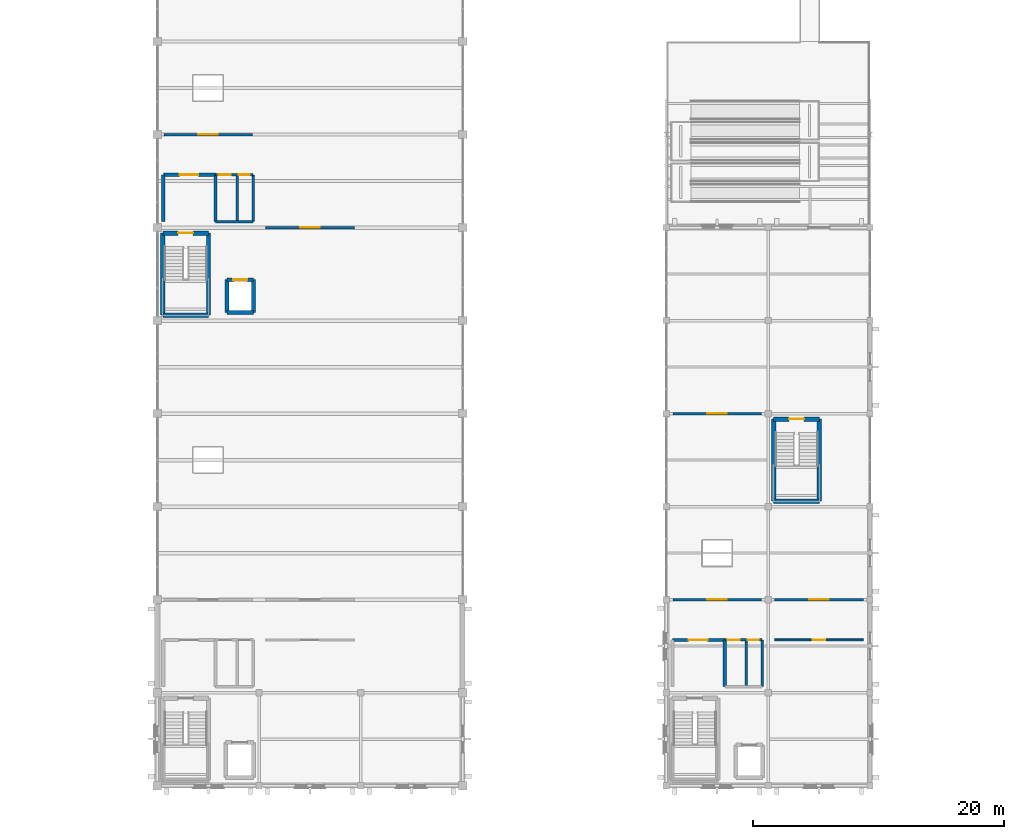
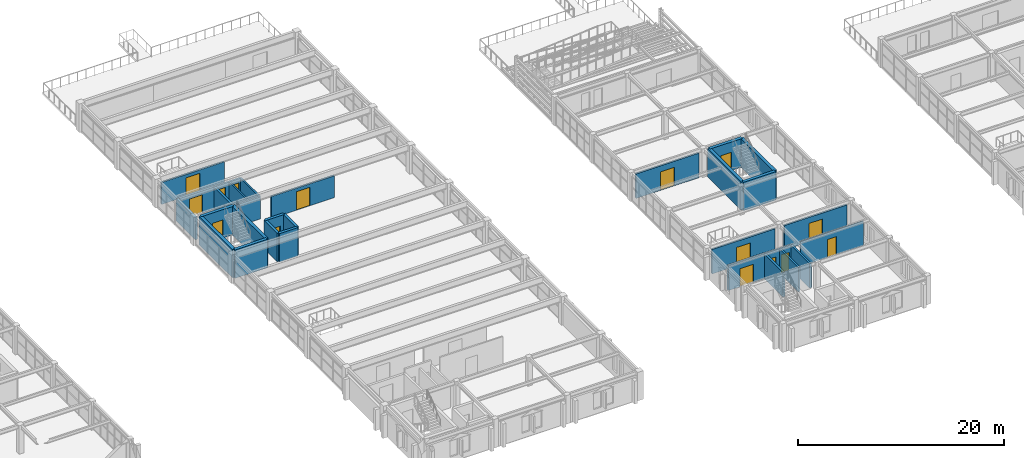
# One storey, part 82 of 93: 30 walls, 15 doors, 15 openings.
"""IFC4 building model written with IfcOpenShell, lengths in metres."""

from ifc_helpers import new_model, si_unit, direction, frame, frame_2d, origin, place, context, subcontext, project, spatial, rectangle, extrude, material, layer, layer_set, type_object, element, fill, save


model = new_model("IFC4")

# Units and contexts
model_context = context("Model", 3, precision=1e-05, world=origin(), true_north=direction((0.0, 1.0)))
body_context = subcontext(model_context, "Body", "Model", "MODEL_VIEW")
ifc_project = project(units=[si_unit("LENGTHUNIT", "METRE"), si_unit("AREAUNIT", "SQUARE_METRE"), si_unit("VOLUMEUNIT", "CUBIC_METRE"), si_unit("PLANEANGLEUNIT", "RADIAN"), si_unit("MASSUNIT", "GRAM", prefix="KILO")], contexts=[model_context])

# Site, building, storey
site_placement = place(None, origin())
site = spatial("IfcSite", under=ifc_project, at=site_placement, CompositionType="ELEMENT")
building_placement = place(site_placement, origin())
building = spatial("IfcBuilding", under=site, at=building_placement, Name="Cimatlan Art Gallery", CompositionType="ELEMENT")
storey_placement = place(building_placement, frame((0.0, 0.0, 13.800048828125)))
storey = spatial("IfcBuildingStorey", under=building, at=storey_placement, Name="L03", CompositionType="ELEMENT", Elevation=13.800048828125)

# Walls
ifc_material_1 = material(Name="Concrete C40/50", Category="concrete")
ifc_layer_1 = layer(ifc_material_1, 0.31005859375)
ifc_layer_set_1 = layer_set([ifc_layer_1], Name="Concrete C40/50")
wall_type_1 = type_object("IfcWallType", Name="W-CORE-310", PredefinedType="SHEAR", material=ifc_layer_set_1)
wall_1_placement = place(storey_placement, frame((80.449951171875, 61.550048828125, 0.0), z_axis=(0.0, 0.0, 1.0), x_axis=(0.0, 1.0, 0.0)))
element("IfcWall", 1, at=wall_1_placement, inside=storey, type_object=wall_type_1, Name="WL-SHFT-C6-L03-LW", PredefinedType="SHEAR", context=body_context, shape_type="SweptSolid", body=[
    extrude(rectangle(XDim=2.599853515625, YDim=0.31005859375, at=frame_2d((1.2998046875, 0.0))), origin(), (0.0, 0.0, 1.0), 3.375),
])
wall_2_placement = place(storey_placement, frame((80.449951171875, 61.550048828125, 0.0), z_axis=(0.0, 0.0, 1.0), x_axis=(1.0, 0.0, 0.0)))
element("IfcWall", 2, at=wall_2_placement, inside=storey, type_object=wall_type_1, Name="WL-SHFT-C6-L03-LS", PredefinedType="SHEAR", context=body_context, shape_type="SweptSolid", body=[
    extrude(rectangle(XDim=2.10009765625, YDim=0.31005859375, at=frame_2d((1.050048828125, 0.0))), origin(), (0.0, 0.0, 1.0), 3.375),
])
wall_3_placement = place(storey_placement, frame((82.550048828125, 61.550048828125, 0.0), z_axis=(0.0, 0.0, 1.0), x_axis=(0.0, 1.0, 0.0)))
element("IfcWall", 3, at=wall_3_placement, inside=storey, type_object=wall_type_1, Name="WL-SHFT-C6-L03-LE", PredefinedType="SHEAR", context=body_context, shape_type="SweptSolid", body=[
    extrude(rectangle(XDim=2.599853515625, YDim=0.31005859375, at=frame_2d((1.2998046875, 0.0))), origin(), (0.0, 0.0, 1.0), 3.375),
])

# Wall, opening, door
wall_4_placement = place(storey_placement, frame((80.449951171875, 64.14990234375, 0.0), z_axis=(0.0, 0.0, 1.0), x_axis=(1.0, 0.0, 0.0)))
wall_4 = element("IfcWall", 4, at=wall_4_placement, inside=storey, type_object=wall_type_1, Name="WL-SHFT-C6-L03-LN", PredefinedType="SHEAR", context=body_context, shape_type="SweptSolid", body=[
    extrude(rectangle(XDim=2.10009765625, YDim=0.31005859375, at=frame_2d((1.050048828125, 0.0))), origin(), (0.0, 0.0, 1.0), 3.375),
])
opening_1_placement = place(wall_4_placement, frame((0.5, 0.0, 0.0)))
opening_1 = element("IfcOpeningElement", 5, at=opening_1_placement, cuts=wall_4, Name="Opening LD-C6-L03", PredefinedType="OPENING", context=body_context, shape_type="SweptSolid", body=[
    extrude(rectangle(XDim=1.10009765625, YDim=2.14990234375, at=frame_2d((0.550048828125, 1.074951171875))), frame((0.0, 0.1650390625, 0.0), z_axis=(0.0, -1.0, 0.0), x_axis=(1.0, 0.0, 0.0)), (0.0, 0.0, 1.0), 0.330078125),
])
ifc_material_2 = material(Name="Brushed bronze sliding lift landing door")
door_type_1 = type_object("IfcDoorType", Name="LD-PS-1100", OperationType="NOTDEFINED", PredefinedType="DOOR", material=ifc_material_2)
door_1_placement = place(opening_1_placement, origin())
door_1 = element("IfcDoor", 6, at=door_1_placement, inside=storey, type_object=door_type_1, Name="LD-PL-03-L03", OperationType="SLIDING_TO_LEFT", OverallHeight=2.14990234375, OverallWidth=1.10009765625, PredefinedType="DOOR", context=body_context, shape_type="SweptSolid", body=[
    extrude(rectangle(XDim=1.10009765625, YDim=2.14990234375, at=frame_2d((0.550048828125, 1.074951171875))), frame((0.0, 0.02490234375, 0.0), z_axis=(0.0, -1.0, 0.0), x_axis=(1.0, 0.0, 0.0)), (0.0, 0.0, 1.0), 0.050048828125),
])
fill(opening_1, door_1)

# Walls
ifc_layer_2 = layer(ifc_material_1, 0.35009765625)
ifc_layer_set_2 = layer_set([ifc_layer_2], Name="Concrete C40/50")
wall_type_2 = type_object("IfcWallType", Name="W-CORE-350", PredefinedType="SHEAR", material=ifc_layer_set_2)
wall_5_placement = place(storey_placement, frame((75.340087890625, 61.340087890625, 0.0), z_axis=(0.0, 0.0, 1.0), x_axis=(0.0, 1.0, 0.0)))
element("IfcWall", 7, at=wall_5_placement, inside=storey, type_object=wall_type_2, Name="WL-CORE-C6-L03-SW", PredefinedType="SHEAR", context=body_context, shape_type="SweptSolid", body=[
    extrude(rectangle(XDim=6.52001953125, YDim=0.35009765625, at=frame_2d((3.260009765625, 0.0))), origin(), (0.0, 0.0, 1.0), 3.375),
])
wall_6_placement = place(storey_placement, frame((75.340087890625, 61.340087890625, 0.0), z_axis=(0.0, 0.0, 1.0), x_axis=(1.0, 0.0, 0.0)))
element("IfcWall", 8, at=wall_6_placement, inside=storey, type_object=wall_type_2, Name="WL-CORE-C6-L03-SS", PredefinedType="SHEAR", context=body_context, shape_type="SweptSolid", body=[
    extrude(rectangle(XDim=3.639892578125, YDim=0.35009765625, at=frame_2d((1.81982421875, 0.0))), origin(), (0.0, 0.0, 1.0), 3.375),
])
wall_7_placement = place(storey_placement, frame((78.97998046875, 61.340087890625, 0.0), z_axis=(0.0, 0.0, 1.0), x_axis=(0.0, 1.0, 0.0)))
element("IfcWall", 9, at=wall_7_placement, inside=storey, type_object=wall_type_2, Name="WL-CORE-C6-L03-SE", PredefinedType="SHEAR", context=body_context, shape_type="SweptSolid", body=[
    extrude(rectangle(XDim=6.52001953125, YDim=0.35009765625, at=frame_2d((3.260009765625, 0.0))), origin(), (0.0, 0.0, 1.0), 3.375),
])

# Wall, opening, door
wall_8_placement = place(storey_placement, frame((75.340087890625, 67.860107421875, 0.0), z_axis=(0.0, 0.0, 1.0), x_axis=(1.0, 0.0, 0.0)))
wall_8 = element("IfcWall", 10, at=wall_8_placement, inside=storey, type_object=wall_type_2, Name="WL-CORE-C6-L03-SN", PredefinedType="SHEAR", context=body_context, shape_type="SweptSolid", body=[
    extrude(rectangle(XDim=3.639892578125, YDim=0.35009765625, at=frame_2d((1.81982421875, 0.0))), origin(), (0.0, 0.0, 1.0), 3.375),
])
opening_2_placement = place(wall_8_placement, frame((1.219970703125, 0.0, 0.0)))
opening_2 = element("IfcOpeningElement", 11, at=opening_2_placement, cuts=wall_8, Name="Opening FD-C6-L03", PredefinedType="OPENING", context=body_context, shape_type="SweptSolid", body=[
    extrude(rectangle(XDim=1.199951171875, YDim=2.14990234375, at=frame_2d((0.60009765625, 1.074951171875))), frame((0.0, 0.18505859375, 0.0), z_axis=(0.0, -1.0, 0.0), x_axis=(1.0, 0.0, 0.0)), (0.0, 0.0, 1.0), 0.3701171875),
])
ifc_material_3 = material(Name="Fire-resisting steel acoustic stair door", Category="steel")
door_type_2 = type_object("IfcDoorType", Name="FD-ST-1200", OperationType="NOTDEFINED", PredefinedType="DOOR", material=ifc_material_3)
door_2_placement = place(opening_2_placement, origin())
door_2 = element("IfcDoor", 12, at=door_2_placement, inside=storey, type_object=door_type_2, Name="DR-C6-L03-ST", OperationType="SINGLE_SWING_LEFT", OverallHeight=2.14990234375, OverallWidth=1.199951171875, PredefinedType="DOOR", context=body_context, shape_type="SweptSolid", body=[
    extrude(rectangle(XDim=1.199951171875, YDim=2.14990234375, at=frame_2d((0.60009765625, 1.074951171875))), frame((0.0, 0.02490234375, 0.0), z_axis=(0.0, -1.0, 0.0), x_axis=(1.0, 0.0, 0.0)), (0.0, 0.0, 1.0), 0.050048828125),
])
fill(opening_2, door_2)

# Walls
wall_9_placement = place(storey_placement, frame((123.93994140625, 46.5400390625, 0.0), z_axis=(0.0, 0.0, 1.0), x_axis=(0.0, 1.0, 0.0)))
element("IfcWall", 13, at=wall_9_placement, inside=storey, type_object=wall_type_2, Name="WL-CORE-C9-L03-SW", PredefinedType="SHEAR", context=body_context, shape_type="SweptSolid", body=[
    extrude(rectangle(XDim=6.52001953125, YDim=0.35009765625, at=frame_2d((3.260009765625, 0.0))), origin(), (0.0, 0.0, 1.0), 3.375),
])
wall_10_placement = place(storey_placement, frame((123.93994140625, 46.5400390625, 0.0), z_axis=(0.0, 0.0, 1.0), x_axis=(1.0, 0.0, 0.0)))
element("IfcWall", 14, at=wall_10_placement, inside=storey, type_object=wall_type_2, Name="WL-CORE-C9-L03-SS", PredefinedType="SHEAR", context=body_context, shape_type="SweptSolid", body=[
    extrude(rectangle(XDim=3.64013671875, YDim=0.35009765625, at=frame_2d((1.820068359375, 0.0))), origin(), (0.0, 0.0, 1.0), 3.375),
])
wall_11_placement = place(storey_placement, frame((127.580078125, 46.5400390625, 0.0), z_axis=(0.0, 0.0, 1.0), x_axis=(0.0, 1.0, 0.0)))
element("IfcWall", 15, at=wall_11_placement, inside=storey, type_object=wall_type_2, Name="WL-CORE-C9-L03-SE", PredefinedType="SHEAR", context=body_context, shape_type="SweptSolid", body=[
    extrude(rectangle(XDim=6.52001953125, YDim=0.35009765625, at=frame_2d((3.260009765625, 0.0))), origin(), (0.0, 0.0, 1.0), 3.375),
])

# Wall, opening, door
wall_12_placement = place(storey_placement, frame((123.93994140625, 53.06005859375, 0.0), z_axis=(0.0, 0.0, 1.0), x_axis=(1.0, 0.0, 0.0)))
wall_12 = element("IfcWall", 16, at=wall_12_placement, inside=storey, type_object=wall_type_2, Name="WL-CORE-C9-L03-SN", PredefinedType="SHEAR", context=body_context, shape_type="SweptSolid", body=[
    extrude(rectangle(XDim=3.64013671875, YDim=0.35009765625, at=frame_2d((1.820068359375, 0.0))), origin(), (0.0, 0.0, 1.0), 3.375),
])
opening_3_placement = place(wall_12_placement, frame((1.219970703125, 0.0, 0.0)))
opening_3 = element("IfcOpeningElement", 17, at=opening_3_placement, cuts=wall_12, Name="Opening FD-C9-L03", PredefinedType="OPENING", context=body_context, shape_type="SweptSolid", body=[
    extrude(rectangle(XDim=1.199951171875, YDim=2.14990234375, at=frame_2d((0.60009765625, 1.074951171875))), frame((0.0, 0.18505859375, 0.0), z_axis=(0.0, -1.0, 0.0), x_axis=(1.0, 0.0, 0.0)), (0.0, 0.0, 1.0), 0.3701171875),
])
door_3_placement = place(opening_3_placement, origin())
door_3 = element("IfcDoor", 18, at=door_3_placement, inside=storey, type_object=door_type_2, Name="DR-C9-L03-ST", OperationType="SINGLE_SWING_LEFT", OverallHeight=2.14990234375, OverallWidth=1.199951171875, PredefinedType="DOOR", context=body_context, shape_type="SweptSolid", body=[
    extrude(rectangle(XDim=1.199951171875, YDim=2.14990234375, at=frame_2d((0.60009765625, 1.074951171875))), frame((0.0, 0.02490234375, 0.0), z_axis=(0.0, -1.0, 0.0), x_axis=(1.0, 0.0, 0.0)), (0.0, 0.0, 1.0), 0.050048828125),
])
fill(opening_3, door_3)

ifc_material_4 = material(Name="Precast concrete C40/50", Category="concrete")
ifc_layer_3 = layer(ifc_material_4, 0.2451171875)
ifc_layer_set_3 = layer_set([ifc_layer_3], Name="Precast concrete C40/50")
wall_type_3 = type_object("IfcWallType", Name="W-FFL-245", PredefinedType="PARTITIONING", material=ifc_layer_set_3)
wall_13_placement = place(storey_placement, frame((115.8798828125, 35.5, 0.0), z_axis=(0.0, 0.0, 1.0), x_axis=(1.0, 0.0, 0.0)))
wall_13 = element("IfcWall", 19, at=wall_13_placement, inside=storey, type_object=wall_type_3, Name="WL-LOB-C4-L03-N", PredefinedType="PARTITIONING", context=body_context, shape_type="SweptSolid", body=[
    extrude(rectangle(XDim=4.170166015625, YDim=0.2451171875, at=frame_2d((2.0849609375, 0.0))), origin(), (0.0, 0.0, 1.0), 2.912841796875),
])
opening_4_placement = place(wall_13_placement, frame((1.300048828125, 0.0, 0.0)))
opening_4 = element("IfcOpeningElement", 20, at=opening_4_placement, cuts=wall_13, Name="Opening FDL-C4-L03", PredefinedType="OPENING", context=body_context, shape_type="SweptSolid", body=[
    extrude(rectangle(XDim=1.5, YDim=2.14990234375, at=frame_2d((0.75, 1.074951171875))), frame((0.0, 0.132568359375, 0.0), z_axis=(0.0, -1.0, 0.0), x_axis=(1.0, 0.0, 0.0)), (0.0, 0.0, 1.0), 0.26513671875),
])
ifc_material_5 = material(Name="Fire-resisting double-seal lobby door")
door_type_3 = type_object("IfcDoorType", Name="FD-LB-1500", OperationType="NOTDEFINED", PredefinedType="DOOR", material=ifc_material_5)
door_4_placement = place(opening_4_placement, origin())
door_4 = element("IfcDoor", 21, at=door_4_placement, inside=storey, type_object=door_type_3, Name="DR-LOB-C4-L03", OperationType="SINGLE_SWING_RIGHT", OverallHeight=2.14990234375, OverallWidth=1.5, PredefinedType="DOOR", context=body_context, shape_type="SweptSolid", body=[
    extrude(rectangle(XDim=1.5, YDim=2.14990234375, at=frame_2d((0.75, 1.074951171875))), frame((0.0, 0.02490234375, 0.0), z_axis=(0.0, -1.0, 0.0), x_axis=(1.0, 0.0, 0.0)), (0.0, 0.0, 1.0), 0.050048828125),
])
fill(opening_4, door_4)

# Wall
wall_14_placement = place(storey_placement, frame((120.050048828125, 31.780029296875, 0.0), z_axis=(0.0, 0.0, 1.0), x_axis=(0.0, 1.0, 0.0)))
element("IfcWall", 22, at=wall_14_placement, inside=storey, type_object=wall_type_3, Name="WL-LOB-C4-L03-M", PredefinedType="PARTITIONING", context=body_context, shape_type="SweptSolid", body=[
    extrude(rectangle(XDim=3.719970703125, YDim=0.2451171875, at=frame_2d((1.85986328125, 0.0))), origin(), (0.0, 0.0, 1.0), 2.912841796875),
])

# Wall, opening, door
wall_15_placement = place(storey_placement, frame((75.3798828125, 72.5, 0.0), z_axis=(0.0, 0.0, 1.0), x_axis=(1.0, 0.0, 0.0)))
wall_15 = element("IfcWall", 23, at=wall_15_placement, inside=storey, type_object=wall_type_3, Name="WL-LOB-C6-L03-N", PredefinedType="PARTITIONING", context=body_context, shape_type="SweptSolid", body=[
    extrude(rectangle(XDim=4.170166015625, YDim=0.2451171875, at=frame_2d((2.0849609375, 0.0))), origin(), (0.0, 0.0, 1.0), 2.60791015625),
])
opening_5_placement = place(wall_15_placement, frame((1.300048828125, 0.0, 0.0)))
opening_5 = element("IfcOpeningElement", 24, at=opening_5_placement, cuts=wall_15, Name="Opening FDL-C6-L03", PredefinedType="OPENING", context=body_context, shape_type="SweptSolid", body=[
    extrude(rectangle(XDim=1.5, YDim=2.14990234375, at=frame_2d((0.75, 1.074951171875))), frame((0.0, 0.132568359375, 0.0), z_axis=(0.0, -1.0, 0.0), x_axis=(1.0, 0.0, 0.0)), (0.0, 0.0, 1.0), 0.26513671875),
])
door_5_placement = place(opening_5_placement, origin())
door_5 = element("IfcDoor", 25, at=door_5_placement, inside=storey, type_object=door_type_3, Name="DR-LOB-C6-L03", OperationType="SINGLE_SWING_RIGHT", OverallHeight=2.14990234375, OverallWidth=1.5, PredefinedType="DOOR", context=body_context, shape_type="SweptSolid", body=[
    extrude(rectangle(XDim=1.5, YDim=2.14990234375, at=frame_2d((0.75, 1.074951171875))), frame((0.0, 0.02490234375, 0.0), z_axis=(0.0, -1.0, 0.0), x_axis=(1.0, 0.0, 0.0)), (0.0, 0.0, 1.0), 0.050048828125),
])
fill(opening_5, door_5)

# Walls
for number, where, z_axis, x_axis, name in (
    (26, (75.3798828125, 68.780029296875, 0.0), (0.0, 0.0, 1.0), (0.0, 1.0, 0.0), "WL-LOB-C6-L03-W"),
    (27, (79.550048828125, 68.780029296875, 0.0), (0.0, 0.0, 1.0), (0.0, 1.0, 0.0), "WL-LOB-C6-L03-M"),
):
    element("IfcWall", number, at=place(storey_placement, frame(where, z_axis=z_axis, x_axis=x_axis)), inside=storey, type_object=wall_type_3, Name=name, PredefinedType="PARTITIONING", context=body_context, shape_type="SweptSolid", body=[
        extrude(rectangle(XDim=3.719970703125, YDim=0.2451171875, at=frame_2d((1.85986328125, 0.0))), origin(), (0.0, 0.0, 1.0), 2.60791015625),
    ])

# Wall, opening, door
ifc_material_6 = material(Name="Acoustic gypsum and steel stud partition", Category="steel")
ifc_layer_4 = layer(ifc_material_6, 0.205078125)
ifc_layer_set_4 = layer_set([ifc_layer_4], Name="Acoustic gypsum and steel stud partition")
wall_type_4 = type_object("IfcWallType", Name="W-GAL-205", PredefinedType="PARTITIONING", material=ifc_layer_set_4)
wall_16_placement = place(storey_placement, frame((83.52001953125, 68.300048828125, 0.0), z_axis=(0.0, 0.0, 1.0), x_axis=(1.0, 0.0, 0.0)))
wall_16 = element("IfcWall", 28, at=wall_16_placement, inside=storey, type_object=wall_type_4, Name="WL-RM-L03-GAL-C2", PredefinedType="PARTITIONING", context=body_context, shape_type="SweptSolid", body=[
    extrude(rectangle(XDim=7.06005859375, YDim=0.205078125, at=frame_2d((3.530029296875, 0.0))), origin(), (0.0, 0.0, 1.0), 2.60791015625),
])
opening_6_placement = place(wall_16_placement, frame((2.7548828125, 0.0, 0.0)))
opening_6 = element("IfcOpeningElement", 29, at=opening_6_placement, cuts=wall_16, Name="Opening DI-0252", PredefinedType="OPENING", context=body_context, shape_type="SweptSolid", body=[
    extrude(rectangle(XDim=1.550048828125, YDim=2.199951171875, at=frame_2d((0.77490234375, 1.10009765625))), frame((0.0, 0.112548828125, 0.0), z_axis=(0.0, -1.0, 0.0), x_axis=(1.0, 0.0, 0.0)), (0.0, 0.0, 1.0), 0.22509765625),
])
ifc_material_7 = material(Name="European oak upper gallery door")
door_type_4 = type_object("IfcDoorType", Name="DI-GL-1550", OperationType="NOTDEFINED", PredefinedType="DOOR", material=ifc_material_7)
door_6_placement = place(opening_6_placement, origin())
door_6 = element("IfcDoor", 30, at=door_6_placement, inside=storey, type_object=door_type_4, Name="DR-RM-L03-GAL-C2", OperationType="SINGLE_SWING_RIGHT", OverallHeight=2.199951171875, OverallWidth=1.550048828125, PredefinedType="DOOR", context=body_context, shape_type="SweptSolid", body=[
    extrude(rectangle(XDim=1.550048828125, YDim=2.199951171875, at=frame_2d((0.77490234375, 1.10009765625))), frame((0.0, 0.02490234375, 0.0), z_axis=(0.0, -1.0, 0.0), x_axis=(1.0, 0.0, 0.0)), (0.0, 0.0, 1.0), 0.050048828125),
])
fill(opening_6, door_6)

wall_17_placement = place(storey_placement, frame((75.419921875, 75.699951171875, 0.0), z_axis=(0.0, 0.0, 1.0), x_axis=(1.0, 0.0, 0.0)))
wall_17 = element("IfcWall", 31, at=wall_17_placement, inside=storey, type_object=wall_type_4, Name="WL-RM-L03-GAL-CN", PredefinedType="PARTITIONING", context=body_context, shape_type="SweptSolid", body=[
    extrude(rectangle(XDim=7.06005859375, YDim=0.205078125, at=frame_2d((3.530029296875, 0.0))), origin(), (0.0, 0.0, 1.0), 2.60791015625),
])
opening_7_placement = place(wall_17_placement, frame((2.7548828125, 0.0, 0.0)))
opening_7 = element("IfcOpeningElement", 32, at=opening_7_placement, cuts=wall_17, Name="Opening DI-0253", PredefinedType="OPENING", context=body_context, shape_type="SweptSolid", body=[
    extrude(rectangle(XDim=1.550048828125, YDim=2.199951171875, at=frame_2d((0.77490234375, 1.10009765625))), frame((0.0, 0.112548828125, 0.0), z_axis=(0.0, -1.0, 0.0), x_axis=(1.0, 0.0, 0.0)), (0.0, 0.0, 1.0), 0.22509765625),
])
door_7_placement = place(opening_7_placement, origin())
door_7 = element("IfcDoor", 33, at=door_7_placement, inside=storey, type_object=door_type_4, Name="DR-RM-L03-GAL-CN", OperationType="SINGLE_SWING_LEFT", OverallHeight=2.199951171875, OverallWidth=1.550048828125, PredefinedType="DOOR", context=body_context, shape_type="SweptSolid", body=[
    extrude(rectangle(XDim=1.550048828125, YDim=2.199951171875, at=frame_2d((0.77490234375, 1.10009765625))), frame((0.0, 0.02490234375, 0.0), z_axis=(0.0, -1.0, 0.0), x_axis=(1.0, 0.0, 0.0)), (0.0, 0.0, 1.0), 0.050048828125),
])
fill(opening_7, door_7)

wall_18_placement = place(storey_placement, frame((115.919921875, 38.699951171875, 0.0), z_axis=(0.0, 0.0, 1.0), x_axis=(1.0, 0.0, 0.0)))
wall_18 = element("IfcWall", 34, at=wall_18_placement, inside=storey, type_object=wall_type_4, Name="WL-RM-L03-GAL-E1", PredefinedType="PARTITIONING", context=body_context, shape_type="SweptSolid", body=[
    extrude(rectangle(XDim=7.06005859375, YDim=0.205078125, at=frame_2d((3.530029296875, 0.0))), origin(), (0.0, 0.0, 1.0), 2.912841796875),
])
opening_8_placement = place(wall_18_placement, frame((2.7548828125, 0.0, 0.0)))
opening_8 = element("IfcOpeningElement", 35, at=opening_8_placement, cuts=wall_18, Name="Opening DI-0255", PredefinedType="OPENING", context=body_context, shape_type="SweptSolid", body=[
    extrude(rectangle(XDim=1.550048828125, YDim=2.199951171875, at=frame_2d((0.77490234375, 1.10009765625))), frame((0.0, 0.112548828125, 0.0), z_axis=(0.0, -1.0, 0.0), x_axis=(1.0, 0.0, 0.0)), (0.0, 0.0, 1.0), 0.22509765625),
])
door_8_placement = place(opening_8_placement, origin())
door_8 = element("IfcDoor", 36, at=door_8_placement, inside=storey, type_object=door_type_4, Name="DR-RM-L03-GAL-E1", OperationType="SINGLE_SWING_LEFT", OverallHeight=2.199951171875, OverallWidth=1.550048828125, PredefinedType="DOOR", context=body_context, shape_type="SweptSolid", body=[
    extrude(rectangle(XDim=1.550048828125, YDim=2.199951171875, at=frame_2d((0.77490234375, 1.10009765625))), frame((0.0, 0.02490234375, 0.0), z_axis=(0.0, -1.0, 0.0), x_axis=(1.0, 0.0, 0.0)), (0.0, 0.0, 1.0), 0.050048828125),
])
fill(opening_8, door_8)

wall_19_placement = place(storey_placement, frame((124.02001953125, 38.699951171875, 0.0), z_axis=(0.0, 0.0, 1.0), x_axis=(1.0, 0.0, 0.0)))
wall_19 = element("IfcWall", 37, at=wall_19_placement, inside=storey, type_object=wall_type_4, Name="WL-RM-L03-GAL-E1B", PredefinedType="PARTITIONING", context=body_context, shape_type="SweptSolid", body=[
    extrude(rectangle(XDim=7.06005859375, YDim=0.205078125, at=frame_2d((3.530029296875, 0.0))), origin(), (0.0, 0.0, 1.0), 2.912841796875),
])
opening_9_placement = place(wall_19_placement, frame((2.7548828125, 0.0, 0.0)))
opening_9 = element("IfcOpeningElement", 38, at=opening_9_placement, cuts=wall_19, Name="Opening DI-0256", PredefinedType="OPENING", context=body_context, shape_type="SweptSolid", body=[
    extrude(rectangle(XDim=1.550048828125, YDim=2.199951171875, at=frame_2d((0.77490234375, 1.10009765625))), frame((0.0, 0.112548828125, 0.0), z_axis=(0.0, -1.0, 0.0), x_axis=(1.0, 0.0, 0.0)), (0.0, 0.0, 1.0), 0.22509765625),
])
door_9_placement = place(opening_9_placement, origin())
door_9 = element("IfcDoor", 39, at=door_9_placement, inside=storey, type_object=door_type_4, Name="DR-RM-L03-GAL-E1B", OperationType="SINGLE_SWING_RIGHT", OverallHeight=2.199951171875, OverallWidth=1.550048828125, PredefinedType="DOOR", context=body_context, shape_type="SweptSolid", body=[
    extrude(rectangle(XDim=1.550048828125, YDim=2.199951171875, at=frame_2d((0.77490234375, 1.10009765625))), frame((0.0, 0.02490234375, 0.0), z_axis=(0.0, -1.0, 0.0), x_axis=(1.0, 0.0, 0.0)), (0.0, 0.0, 1.0), 0.050048828125),
])
fill(opening_9, door_9)

wall_20_placement = place(storey_placement, frame((115.919921875, 53.5, 0.0), z_axis=(0.0, 0.0, 1.0), x_axis=(1.0, 0.0, 0.0)))
wall_20 = element("IfcWall", 40, at=wall_20_placement, inside=storey, type_object=wall_type_4, Name="WL-RM-L03-GAL-E2", PredefinedType="PARTITIONING", context=body_context, shape_type="SweptSolid", body=[
    extrude(rectangle(XDim=7.06005859375, YDim=0.205078125, at=frame_2d((3.530029296875, 0.0))), origin(), (0.0, 0.0, 1.0), 2.912841796875),
])
opening_10_placement = place(wall_20_placement, frame((2.7548828125, 0.0, 0.0)))
opening_10 = element("IfcOpeningElement", 41, at=opening_10_placement, cuts=wall_20, Name="Opening DI-0257", PredefinedType="OPENING", context=body_context, shape_type="SweptSolid", body=[
    extrude(rectangle(XDim=1.550048828125, YDim=2.199951171875, at=frame_2d((0.77490234375, 1.10009765625))), frame((0.0, 0.112548828125, 0.0), z_axis=(0.0, -1.0, 0.0), x_axis=(1.0, 0.0, 0.0)), (0.0, 0.0, 1.0), 0.22509765625),
])
door_10_placement = place(opening_10_placement, origin())
door_10 = element("IfcDoor", 42, at=door_10_placement, inside=storey, type_object=door_type_4, Name="DR-RM-L03-GAL-E2", OperationType="SINGLE_SWING_LEFT", OverallHeight=2.199951171875, OverallWidth=1.550048828125, PredefinedType="DOOR", context=body_context, shape_type="SweptSolid", body=[
    extrude(rectangle(XDim=1.550048828125, YDim=2.199951171875, at=frame_2d((0.77490234375, 1.10009765625))), frame((0.0, 0.02490234375, 0.0), z_axis=(0.0, -1.0, 0.0), x_axis=(1.0, 0.0, 0.0)), (0.0, 0.0, 1.0), 0.050048828125),
])
fill(opening_10, door_10)

ifc_material_8 = material(Name="Fire-rated gypsum board and steel stud partition", Category="steel")
ifc_layer_5 = layer(ifc_material_8, 0.139892578125)
ifc_layer_set_5 = layer_set([ifc_layer_5], Name="Fire-rated gypsum board and steel stud partition")
wall_type_5 = type_object("IfcWallType", Name="W-OFF-140", PredefinedType="PARTITIONING", material=ifc_layer_set_5)
wall_21_placement = place(storey_placement, frame((124.02001953125, 35.5, 0.0), z_axis=(0.0, 0.0, 1.0), x_axis=(1.0, 0.0, 0.0)))
wall_21 = element("IfcWall", 43, at=wall_21_placement, inside=storey, type_object=wall_type_5, Name="WL-RM-L03-CUR-01", PredefinedType="PARTITIONING", context=body_context, shape_type="SweptSolid", body=[
    extrude(rectangle(XDim=7.06005859375, YDim=0.139892578125, at=frame_2d((3.530029296875, 0.0))), origin(), (0.0, 0.0, 1.0), 2.912841796875),
])
opening_11_placement = place(wall_21_placement, frame((3.030029296875, 0.0, 0.0)))
opening_11 = element("IfcOpeningElement", 44, at=opening_11_placement, cuts=wall_21, Name="Opening DI-0254", PredefinedType="OPENING", context=body_context, shape_type="SweptSolid", body=[
    extrude(rectangle(XDim=1.0, YDim=2.1201171875, at=frame_2d((0.5, 1.06005859375))), frame((0.0, 0.080078125, 0.0), z_axis=(0.0, -1.0, 0.0), x_axis=(1.0, 0.0, 0.0)), (0.0, 0.0, 1.0), 0.159912109375),
])
ifc_material_9 = material(Name="Timber curatorial office door", Category="wood")
door_type_5 = type_object("IfcDoorType", Name="DI-OF-1000", OperationType="NOTDEFINED", PredefinedType="DOOR", material=ifc_material_9)
door_11_placement = place(opening_11_placement, origin())
door_11 = element("IfcDoor", 45, at=door_11_placement, inside=storey, type_object=door_type_5, Name="DR-RM-L03-CUR-01", OperationType="SINGLE_SWING_RIGHT", OverallHeight=2.1201171875, OverallWidth=1.0, PredefinedType="DOOR", context=body_context, shape_type="SweptSolid", body=[
    extrude(rectangle(XDim=1.0, YDim=2.1201171875, at=frame_2d((0.5, 1.06005859375))), frame((0.0, 0.02490234375, 0.0), z_axis=(0.0, -1.0, 0.0), x_axis=(1.0, 0.0, 0.0)), (0.0, 0.0, 1.0), 0.050048828125),
])
fill(opening_11, door_11)

# Walls
ifc_material_10 = material(Name="Moisture-resistant fire-rated plumbing wall")
ifc_layer_6 = layer(ifc_material_10, 0.195068359375)
ifc_layer_set_6 = layer_set([ifc_layer_6], Name="Moisture-resistant fire-rated plumbing wall")
wall_type_6 = type_object("IfcWallType", Name="W-PLM-195", PredefinedType="PARTITIONING", material=ifc_layer_set_6)
for number, where, z_axis, x_axis, name in (
    (46, (121.75, 31.780029296875, 0.0), (0.0, 0.0, 1.0), (0.0, 1.0, 0.0), "WL-LOB-C4-L03-D"),
    (47, (123.02001953125, 31.780029296875, 0.0), (0.0, 0.0, 1.0), (0.0, 1.0, 0.0), "WL-LOB-C4-L03-E"),
):
    element("IfcWall", number, at=place(storey_placement, frame(where, z_axis=z_axis, x_axis=x_axis)), inside=storey, type_object=wall_type_6, Name=name, PredefinedType="PARTITIONING", context=body_context, shape_type="SweptSolid", body=[
        extrude(rectangle(XDim=3.719970703125, YDim=0.195068359375, at=frame_2d((1.85986328125, 0.0))), origin(), (0.0, 0.0, 1.0), 2.912841796875),
    ])

# Wall, openings, doors
wall_22_placement = place(storey_placement, frame((120.050048828125, 35.5, 0.0), z_axis=(0.0, 0.0, 1.0), x_axis=(1.0, 0.0, 0.0)))
wall_22 = element("IfcWall", 48, at=wall_22_placement, inside=storey, type_object=wall_type_6, Name="WL-WC-C4-L03-N", PredefinedType="PARTITIONING", context=body_context, shape_type="SweptSolid", body=[
    extrude(rectangle(XDim=2.969970703125, YDim=0.195068359375, at=frame_2d((1.48486328125, 0.0))), origin(), (0.0, 0.0, 1.0), 2.912841796875),
])
opening_12_placement = place(wall_22_placement, frame((0.25, 0.0, 0.0)))
opening_12 = element("IfcOpeningElement", 49, at=opening_12_placement, cuts=wall_22, Name="Opening DWC-C4A-L03", PredefinedType="OPENING", context=body_context, shape_type="SweptSolid", body=[
    extrude(rectangle(XDim=0.949951171875, YDim=2.10009765625, at=frame_2d((0.47509765625, 1.050048828125))), frame((0.0, 0.107421875, 0.0), z_axis=(0.0, -1.0, 0.0), x_axis=(1.0, 0.0, 0.0)), (0.0, 0.0, 1.0), 0.215087890625),
])
opening_13_placement = place(wall_22_placement, frame((1.820068359375, 0.0, 0.0)))
opening_13 = element("IfcOpeningElement", 50, at=opening_13_placement, cuts=wall_22, Name="Opening DWC-C4B-L03", PredefinedType="OPENING", context=body_context, shape_type="SweptSolid", body=[
    extrude(rectangle(XDim=0.89990234375, YDim=2.10009765625, at=frame_2d((0.449951171875, 1.050048828125))), frame((0.0, 0.107421875, 0.0), z_axis=(0.0, -1.0, 0.0), x_axis=(1.0, 0.0, 0.0)), (0.0, 0.0, 1.0), 0.215087890625),
])
ifc_material_11 = material(Name="Sanitary room door")
door_type_6 = type_object("IfcDoorType", Name="DI-WC-0900", OperationType="NOTDEFINED", PredefinedType="DOOR", material=ifc_material_11)
door_12_placement = place(opening_13_placement, origin())
door_12 = element("IfcDoor", 51, at=door_12_placement, inside=storey, type_object=door_type_6, Name="DR-PWC-C4-L03", OperationType="SINGLE_SWING_RIGHT", OverallHeight=2.10009765625, OverallWidth=0.89990234375, PredefinedType="DOOR", context=body_context, shape_type="SweptSolid", body=[
    extrude(rectangle(XDim=0.89990234375, YDim=2.10009765625, at=frame_2d((0.449951171875, 1.050048828125))), frame((0.0, 0.02490234375, 0.0), z_axis=(0.0, -1.0, 0.0), x_axis=(1.0, 0.0, 0.0)), (0.0, 0.0, 1.0), 0.050048828125),
])
fill(opening_13, door_12)
ifc_material_12 = material(Name="Accessible sanitary room door")
door_type_7 = type_object("IfcDoorType", Name="DI-WC-0950", OperationType="NOTDEFINED", PredefinedType="DOOR", material=ifc_material_12)
door_13_placement = place(opening_12_placement, origin())
door_13 = element("IfcDoor", 52, at=door_13_placement, inside=storey, type_object=door_type_7, Name="DR-AWC-C4-L03", OperationType="SINGLE_SWING_LEFT", OverallHeight=2.10009765625, OverallWidth=0.949951171875, PredefinedType="DOOR", context=body_context, shape_type="SweptSolid", body=[
    extrude(rectangle(XDim=0.949951171875, YDim=2.10009765625, at=frame_2d((0.47509765625, 1.050048828125))), frame((0.0, 0.02490234375, 0.0), z_axis=(0.0, -1.0, 0.0), x_axis=(1.0, 0.0, 0.0)), (0.0, 0.0, 1.0), 0.050048828125),
])
fill(opening_12, door_13)

# Walls
for number, where, z_axis, x_axis, name in (
    (53, (81.25, 68.780029296875, 0.0), (0.0, 0.0, 1.0), (0.0, 1.0, 0.0), "WL-LOB-C6-L03-D"),
    (54, (82.52001953125, 68.780029296875, 0.0), (0.0, 0.0, 1.0), (0.0, 1.0, 0.0), "WL-LOB-C6-L03-E"),
):
    element("IfcWall", number, at=place(storey_placement, frame(where, z_axis=z_axis, x_axis=x_axis)), inside=storey, type_object=wall_type_6, Name=name, PredefinedType="PARTITIONING", context=body_context, shape_type="SweptSolid", body=[
        extrude(rectangle(XDim=3.719970703125, YDim=0.195068359375, at=frame_2d((1.85986328125, 0.0))), origin(), (0.0, 0.0, 1.0), 2.60791015625),
    ])
wall_23_placement = place(storey_placement, frame((79.550048828125, 68.780029296875, 0.0), z_axis=(0.0, 0.0, 1.0), x_axis=(1.0, 0.0, 0.0)))
element("IfcWall", 55, at=wall_23_placement, inside=storey, type_object=wall_type_6, Name="WL-LOB-C6-L03-S", PredefinedType="PARTITIONING", context=body_context, shape_type="SweptSolid", body=[
    extrude(rectangle(XDim=2.969970703125, YDim=0.195068359375, at=frame_2d((1.48486328125, 0.0))), origin(), (0.0, 0.0, 1.0), 2.60791015625),
])

# Wall, openings, doors
wall_24_placement = place(storey_placement, frame((79.550048828125, 72.5, 0.0), z_axis=(0.0, 0.0, 1.0), x_axis=(1.0, 0.0, 0.0)))
wall_24 = element("IfcWall", 56, at=wall_24_placement, inside=storey, type_object=wall_type_6, Name="WL-WC-C6-L03-N", PredefinedType="PARTITIONING", context=body_context, shape_type="SweptSolid", body=[
    extrude(rectangle(XDim=2.969970703125, YDim=0.195068359375, at=frame_2d((1.48486328125, 0.0))), origin(), (0.0, 0.0, 1.0), 2.60791015625),
])
opening_14_placement = place(wall_24_placement, frame((0.25, 0.0, 0.0)))
opening_14 = element("IfcOpeningElement", 57, at=opening_14_placement, cuts=wall_24, Name="Opening DWC-C6A-L03", PredefinedType="OPENING", context=body_context, shape_type="SweptSolid", body=[
    extrude(rectangle(XDim=0.949951171875, YDim=2.10009765625, at=frame_2d((0.47509765625, 1.050048828125))), frame((0.0, 0.107421875, 0.0), z_axis=(0.0, -1.0, 0.0), x_axis=(1.0, 0.0, 0.0)), (0.0, 0.0, 1.0), 0.215087890625),
])
opening_15_placement = place(wall_24_placement, frame((1.820068359375, 0.0, 0.0)))
opening_15 = element("IfcOpeningElement", 58, at=opening_15_placement, cuts=wall_24, Name="Opening DWC-C6B-L03", PredefinedType="OPENING", context=body_context, shape_type="SweptSolid", body=[
    extrude(rectangle(XDim=0.89990234375, YDim=2.10009765625, at=frame_2d((0.449951171875, 1.050048828125))), frame((0.0, 0.107421875, 0.0), z_axis=(0.0, -1.0, 0.0), x_axis=(1.0, 0.0, 0.0)), (0.0, 0.0, 1.0), 0.215087890625),
])
door_14_placement = place(opening_15_placement, origin())
door_14 = element("IfcDoor", 59, at=door_14_placement, inside=storey, type_object=door_type_6, Name="DR-PWC-C6-L03", OperationType="SINGLE_SWING_RIGHT", OverallHeight=2.10009765625, OverallWidth=0.89990234375, PredefinedType="DOOR", context=body_context, shape_type="SweptSolid", body=[
    extrude(rectangle(XDim=0.89990234375, YDim=2.10009765625, at=frame_2d((0.449951171875, 1.050048828125))), frame((0.0, 0.02490234375, 0.0), z_axis=(0.0, -1.0, 0.0), x_axis=(1.0, 0.0, 0.0)), (0.0, 0.0, 1.0), 0.050048828125),
])
fill(opening_15, door_14)
door_15_placement = place(opening_14_placement, origin())
door_15 = element("IfcDoor", 60, at=door_15_placement, inside=storey, type_object=door_type_7, Name="DR-AWC-C6-L03", OperationType="SINGLE_SWING_LEFT", OverallHeight=2.10009765625, OverallWidth=0.949951171875, PredefinedType="DOOR", context=body_context, shape_type="SweptSolid", body=[
    extrude(rectangle(XDim=0.949951171875, YDim=2.10009765625, at=frame_2d((0.47509765625, 1.050048828125))), frame((0.0, 0.02490234375, 0.0), z_axis=(0.0, -1.0, 0.0), x_axis=(1.0, 0.0, 0.0)), (0.0, 0.0, 1.0), 0.050048828125),
])
fill(opening_14, door_15)

save(model, "model.ifc")
